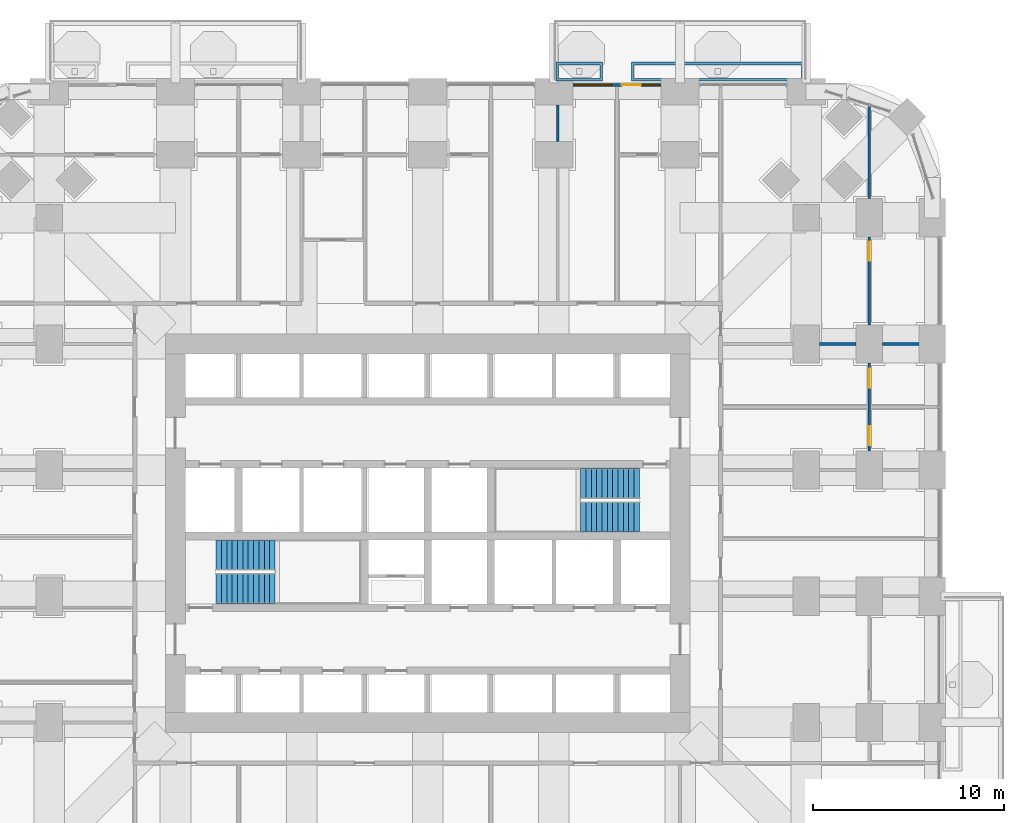
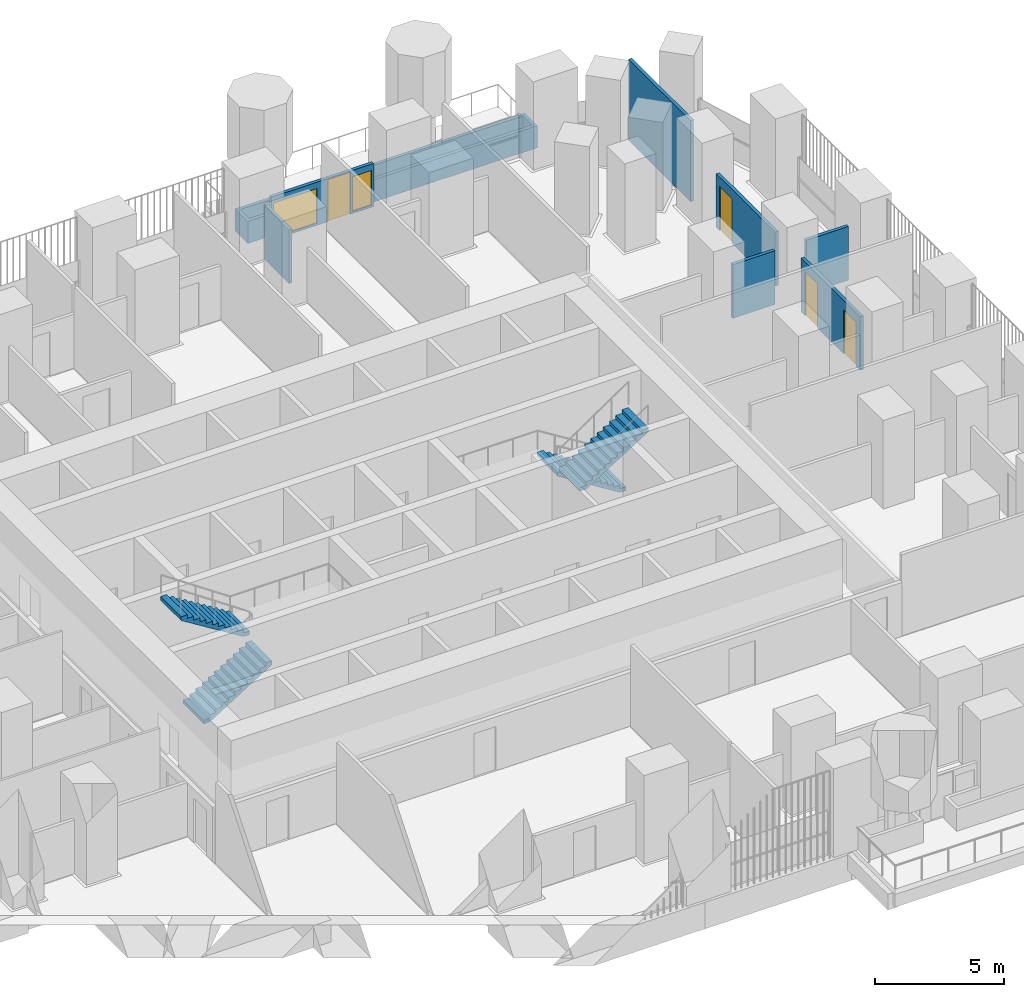
# One storey, part 21 of 27: 9 walls, 4 doors, 4 stair flights, 2 windows, 6 openings, 2 elements without a shape of their own.
"""IFC4 building model written with IfcOpenShell, lengths in metres."""

from ifc_helpers import new_model, si_unit, direction, frame, frame_2d, origin, place, context, subcontext, project, spatial, polyline, rectangle, outline, extrude, material, layer, layer_set, type_object, element, fill, aggregate, save


model = new_model("IFC4")

# Units and contexts
model_context = context("Model", 3, precision=1e-05, world=origin(), true_north=direction((0.0, 1.0)))
body_context = subcontext(model_context, "Body", "Model", "MODEL_VIEW")
ifc_project = project(units=[si_unit("LENGTHUNIT", "METRE"), si_unit("AREAUNIT", "SQUARE_METRE"), si_unit("VOLUMEUNIT", "CUBIC_METRE"), si_unit("PLANEANGLEUNIT", "RADIAN"), si_unit("MASSUNIT", "GRAM", prefix="KILO")], contexts=[model_context])

# Site, building, storey
site_placement = place(None, origin())
site = spatial("IfcSite", under=ifc_project, at=site_placement, CompositionType="ELEMENT")
building_placement = place(site_placement, origin())
building = spatial("IfcBuilding", under=site, at=building_placement, Name="Cobogo Forest Laboratory Tower", CompositionType="ELEMENT")
storey_placement = place(building_placement, frame((0.0, 0.0, 71.699951171875)))
storey = spatial("IfcBuildingStorey", under=building, at=storey_placement, Name="L16", CompositionType="ELEMENT", Elevation=71.699951171875)

# Wall, openings, door, windows
ifc_material_1 = material(Name="Aluminium framed glazed screen", Category="aluminium")
ifc_layer_1 = layer(ifc_material_1, 0.14990234375)
ifc_layer_set_1 = layer_set([ifc_layer_1], Name="GS1 glazed door screen 150")
wall_type_1 = type_object("IfcWallType", Name="GS1 glazed door screen 150", PredefinedType="SOLIDWALL", material=ifc_layer_set_1)
wall_1_placement = place(storey_placement, frame((38.60009765625, 46.550048828125, 0.0), z_axis=(0.0, 0.0, 1.0), x_axis=(-1.0, 0.0, 0.0)))
wall_1 = element("IfcWall", 1, at=wall_1_placement, inside=storey, type_object=wall_type_1, Name="Door screen BAL-N2 L16", PredefinedType="SOLIDWALL", context=body_context, shape_type="SweptSolid", body=[
    extrude(rectangle(XDim=4.60009765625, YDim=0.14990234375, at=frame_2d((2.300048828125, 0.0))), origin(), (0.0, 0.0, 1.0), 2.050048828125),
])
opening_1_placement = place(wall_1_placement, frame((1.050048828125, 0.0, 0.0)))
opening_1 = element("IfcOpeningElement", 2, at=opening_1_placement, cuts=wall_1, Name="Opening L16-D54", PredefinedType="OPENING", context=body_context, shape_type="SweptSolid", body=[
    extrude(rectangle(XDim=1.0, YDim=2.0, at=frame_2d((0.5, 1.0))), frame((0.0, 0.0849609375, 0.0), z_axis=(0.0, -1.0, 0.0), x_axis=(1.0, 0.0, 0.0)), (0.0, 0.0, 1.0), 0.169921875),
])
opening_2_placement = place(wall_1_placement, frame((0.10009765625, 0.0, 0.10009765625)))
opening_2 = element("IfcOpeningElement", 3, at=opening_2_placement, cuts=wall_1, Name="Opening L16-W12", PredefinedType="OPENING", context=body_context, shape_type="SweptSolid", body=[
    extrude(rectangle(XDim=0.85009765625, YDim=1.64990234375, at=frame_2d((0.425048828125, 0.824951171875))), frame((0.0, 0.0849609375, 0.0), z_axis=(0.0, -1.0, 0.0), x_axis=(1.0, 0.0, 0.0)), (0.0, 0.0, 1.0), 0.169921875),
])
opening_3_placement = place(wall_1_placement, frame((2.550048828125, 0.0, 0.10009765625)))
opening_3 = element("IfcOpeningElement", 4, at=opening_3_placement, cuts=wall_1, Name="Opening L16-W11", PredefinedType="OPENING", context=body_context, shape_type="SweptSolid", body=[
    extrude(rectangle(XDim=1.949951171875, YDim=1.64990234375, at=frame_2d((0.97509765625, 0.824951171875))), frame((0.0, 0.0849609375, 0.0), z_axis=(0.0, -1.0, 0.0), x_axis=(1.0, 0.0, 0.0)), (0.0, 0.0, 1.0), 0.169921875),
])
ifc_material_2 = material(Name="Aluminium glazed door", Category="aluminium")
door_type_1 = type_object("IfcDoorType", Name="DB2 balcony door 1000 glazed 2000 high", OperationType="SINGLE_SWING_LEFT", PredefinedType="DOOR", material=ifc_material_2)
door_1_placement = place(opening_1_placement, origin())
door_1 = element("IfcDoor", 5, at=door_1_placement, inside=storey, type_object=door_type_1, Name="Door L16-BAL-N2", OperationType="SINGLE_SWING_LEFT", OverallHeight=2.0, OverallWidth=1.0, PredefinedType="DOOR", context=body_context, shape_type="SweptSolid", body=[
    extrude(rectangle(XDim=1.0, YDim=2.0, at=frame_2d((0.5, 1.0))), frame((0.0, 0.02490234375, 0.0), z_axis=(0.0, -1.0, 0.0), x_axis=(1.0, 0.0, 0.0)), (0.0, 0.0, 1.0), 0.050048828125),
])
fill(opening_1, door_1)
ifc_material_3 = material(Name="Aluminium framed glazing", Category="aluminium")
window_type_1 = type_object("IfcWindowType", Name="WG10 fixed glazed light 850x1650", PartitioningType="SINGLE_PANEL", PredefinedType="WINDOW", material=ifc_material_3)
window_1_placement = place(opening_2_placement, origin())
window_1 = element("IfcWindow", 6, at=window_1_placement, inside=storey, type_object=window_type_1, Name="Window L16-BAL-N2-1", OverallHeight=1.64990234375, OverallWidth=0.85009765625, PartitioningType="SINGLE_PANEL", PredefinedType="WINDOW", context=body_context, shape_type="SweptSolid", body=[
    extrude(rectangle(XDim=0.85009765625, YDim=1.64990234375, at=frame_2d((0.425048828125, 0.824951171875))), frame((0.0, 0.030029296875, 0.0), z_axis=(0.0, -1.0, 0.0), x_axis=(1.0, 0.0, 0.0)), (0.0, 0.0, 1.0), 0.06005859375),
])
fill(opening_2, window_1)
window_type_2 = type_object("IfcWindowType", Name="WG9 fixed glazed light 1950x1650", PartitioningType="SINGLE_PANEL", PredefinedType="WINDOW", material=ifc_material_3)
window_2_placement = place(opening_3_placement, origin())
window_2 = element("IfcWindow", 7, at=window_2_placement, inside=storey, type_object=window_type_2, Name="Window L16-BAL-N2-2", OverallHeight=1.64990234375, OverallWidth=1.949951171875, PartitioningType="SINGLE_PANEL", PredefinedType="WINDOW", context=body_context, shape_type="SweptSolid", body=[
    extrude(rectangle(XDim=1.949951171875, YDim=1.64990234375, at=frame_2d((0.97509765625, 0.824951171875))), frame((0.0, 0.030029296875, 0.0), z_axis=(0.0, -1.0, 0.0), x_axis=(1.0, 0.0, 0.0)), (0.0, 0.0, 1.0), 0.06005859375),
])
fill(opening_3, window_2)

# Wall, openings, doors
ifc_material_4 = material(Name="Gypsum board on steel studs", Category="steel")
ifc_layer_2 = layer(ifc_material_4, 0.14990234375)
ifc_layer_set_2 = layer_set([ifc_layer_2], Name="PT1 laboratory partition 150")
wall_type_2 = type_object("IfcWallType", Name="PT1 laboratory partition 150", PredefinedType="PARTITIONING", material=ifc_layer_set_2)
wall_2_placement = place(storey_placement, frame((49.5, 27.39990234375, 0.0), z_axis=(0.0, 0.0, 1.0), x_axis=(0.0, 1.0, 0.0)))
wall_2 = element("IfcWall", 8, at=wall_2_placement, inside=storey, type_object=wall_type_2, Name="Partition STRIP-E-3 L16", PredefinedType="PARTITIONING", context=body_context, shape_type="SweptSolid", body=[
    extrude(rectangle(XDim=4.60009765625, YDim=0.14990234375, at=frame_2d((2.300048828125, 0.0))), origin(), (0.0, 0.0, 1.0), 2.550048828125),
])
opening_4_placement = place(wall_2_placement, frame((0.300048828125, 0.0, 0.0)))
opening_4 = element("IfcOpeningElement", 9, at=opening_4_placement, cuts=wall_2, Name="Opening L16-D31", PredefinedType="OPENING", context=body_context, shape_type="SweptSolid", body=[
    extrude(rectangle(XDim=1.0, YDim=2.10009765625, at=frame_2d((0.5, 1.050048828125))), frame((0.0, 0.0849609375, 0.0), z_axis=(0.0, -1.0, 0.0), x_axis=(1.0, 0.0, 0.0)), (0.0, 0.0, 1.0), 0.169921875),
])
opening_5_placement = place(wall_2_placement, frame((3.300048828125, 0.0, 0.0)))
opening_5 = element("IfcOpeningElement", 10, at=opening_5_placement, cuts=wall_2, Name="Opening L16-D36", PredefinedType="OPENING", context=body_context, shape_type="SweptSolid", body=[
    extrude(rectangle(XDim=1.0, YDim=2.10009765625, at=frame_2d((0.5, 1.050048828125))), frame((0.0, 0.0849609375, 0.0), z_axis=(0.0, -1.0, 0.0), x_axis=(1.0, 0.0, 0.0)), (0.0, 0.0, 1.0), 0.169921875),
])
ifc_material_5 = material(Name="Timber fire door", Category="wood")
door_type_2 = type_object("IfcDoorType", Name="FD2 fire door 1000 EI2 30", OperationType="SINGLE_SWING_LEFT", PredefinedType="DOOR", material=ifc_material_5)
door_2_placement = place(opening_4_placement, origin())
door_2 = element("IfcDoor", 11, at=door_2_placement, inside=storey, type_object=door_type_2, Name="Door L16-E2W", OperationType="SINGLE_SWING_LEFT", OverallHeight=2.10009765625, OverallWidth=1.0, PredefinedType="DOOR", context=body_context, shape_type="SweptSolid", body=[
    extrude(rectangle(XDim=1.0, YDim=2.10009765625, at=frame_2d((0.5, 1.050048828125))), frame((0.0, 0.02490234375, 0.0), z_axis=(0.0, -1.0, 0.0), x_axis=(1.0, 0.0, 0.0)), (0.0, 0.0, 1.0), 0.050048828125),
])
fill(opening_4, door_2)
door_3_placement = place(opening_5_placement, origin())
door_3 = element("IfcDoor", 12, at=door_3_placement, inside=storey, type_object=door_type_2, Name="Door L16-E3W", OperationType="SINGLE_SWING_RIGHT", OverallHeight=2.10009765625, OverallWidth=1.0, PredefinedType="DOOR", context=body_context, shape_type="SweptSolid", body=[
    extrude(rectangle(XDim=1.0, YDim=2.10009765625, at=frame_2d((0.5, 1.050048828125))), frame((0.0, 0.02490234375, 0.0), z_axis=(0.0, -1.0, 0.0), x_axis=(1.0, 0.0, 0.0)), (0.0, 0.0, 1.0), 0.050048828125),
])
fill(opening_5, door_3)

# Wall, opening, door
wall_3_placement = place(storey_placement, frame((49.5, 34.0, 0.0), z_axis=(0.0, 0.0, 1.0), x_axis=(0.0, 1.0, 0.0)))
wall_3 = element("IfcWall", 13, at=wall_3_placement, inside=storey, type_object=wall_type_2, Name="Partition STRIP-E-4 L16", PredefinedType="PARTITIONING", context=body_context, shape_type="SweptSolid", body=[
    extrude(rectangle(XDim=4.60009765625, YDim=0.14990234375, at=frame_2d((2.300048828125, 0.0))), origin(), (0.0, 0.0, 1.0), 2.550048828125),
])
opening_6_placement = place(wall_3_placement, frame((3.35009765625, 0.0, 0.0)))
opening_6 = element("IfcOpeningElement", 14, at=opening_6_placement, cuts=wall_3, Name="Opening L16-D46", PredefinedType="OPENING", context=body_context, shape_type="SweptSolid", body=[
    extrude(rectangle(XDim=1.0, YDim=2.10009765625, at=frame_2d((0.5, 1.050048828125))), frame((0.0, 0.0849609375, 0.0), z_axis=(0.0, -1.0, 0.0), x_axis=(1.0, 0.0, 0.0)), (0.0, 0.0, 1.0), 0.169921875),
])
door_4_placement = place(opening_6_placement, origin())
door_4 = element("IfcDoor", 15, at=door_4_placement, inside=storey, type_object=door_type_2, Name="Door L16-E4W", OperationType="SINGLE_SWING_RIGHT", OverallHeight=2.10009765625, OverallWidth=1.0, PredefinedType="DOOR", context=body_context, shape_type="SweptSolid", body=[
    extrude(rectangle(XDim=1.0, YDim=2.10009765625, at=frame_2d((0.5, 1.050048828125))), frame((0.0, 0.02490234375, 0.0), z_axis=(0.0, -1.0, 0.0), x_axis=(1.0, 0.0, 0.0)), (0.0, 0.0, 1.0), 0.050048828125),
])
fill(opening_6, door_4)

# Walls
wall_4_placement = place(storey_placement, frame((49.5, 40.60009765625, 0.0), z_axis=(0.0, 0.0, 1.0), x_axis=(0.0, 1.0, 0.0)))
element("IfcWall", 16, at=wall_4_placement, inside=storey, type_object=wall_type_2, Name="Partition STRIP-E-5 L16", PredefinedType="PARTITIONING", context=body_context, shape_type="SweptSolid", body=[
    extrude(rectangle(XDim=4.823974609375, YDim=0.14990234375, at=frame_2d((2.412109375, 0.0))), origin(), (0.0, 0.0, 1.0), 3.85009765625),
])
for number, where, z_axis, x_axis, name in (
    (17, (52.10009765625, 33.0, 0.0), (0.0, 0.0, 1.0), (-1.0, 0.0, 0.0), "Partition CUT-E33a-1 L16"),
    (18, (48.800048828125, 33.0, 0.0), (0.0, 0.0, 1.0), (-1.0, 0.0, 0.0), "Partition CUT-E33b-1 L16"),
):
    element("IfcWall", number, at=place(storey_placement, frame(where, z_axis=z_axis, x_axis=x_axis)), inside=storey, type_object=wall_type_2, Name=name, PredefinedType="PARTITIONING", context=body_context, shape_type="SweptSolid", body=[
        extrude(rectangle(XDim=1.900146484375, YDim=0.14990234375, at=frame_2d((0.9501953125, 0.0))), origin(), (0.0, 0.0, 1.0), 2.550048828125),
    ])
wall_5_placement = place(storey_placement, frame((33.199951171875, 45.5, 0.0), z_axis=(0.0, 0.0, 1.0), x_axis=(0.0, -1.0, 0.0)))
element("IfcWall", 19, at=wall_5_placement, inside=storey, type_object=wall_type_2, Name="Partition SVC-N1-1 L16", PredefinedType="PARTITIONING", context=body_context, shape_type="SweptSolid", body=[
    extrude(rectangle(XDim=1.89990234375, YDim=0.14990234375, at=frame_2d((0.949951171875, 0.0))), origin(), (0.0, 0.0, 1.0), 2.550048828125),
])
ifc_material_6 = material(Name="Concrete HA-40 (C40/50)", Category="concrete")
ifc_layer_3 = layer(ifc_material_6, 0.14990234375)
ifc_layer_set_3 = layer_set([ifc_layer_3], Name="Planter box 1000x1050")
wall_type_3 = type_object("IfcWallType", Name="Planter box 1000x1050", PredefinedType="USERDEFINED", material=ifc_layer_set_3)
wall_6_placement = place(storey_placement, origin())
element("IfcWall", 20, at=wall_6_placement, inside=storey, type_object=wall_type_3, Name="Planter BAL-N2-1 L16", ObjectType="PLANTER", PredefinedType="USERDEFINED", context=body_context, shape_type="SweptSolid", body=[
    extrude(outline(polyline([(33.10009765625, 46.75), (35.550048828125, 46.75), (35.550048828125, 47.75), (33.10009765625, 47.75), (33.10009765625, 46.75)]), holes=[polyline([(33.25, 46.89990234375), (35.39990234375, 46.89990234375), (35.39990234375, 47.60009765625), (33.25, 47.60009765625), (33.25, 46.89990234375)])]), origin(), (0.0, 0.0, 1.0), 1.050048828125),
])
wall_7_placement = place(storey_placement, origin())
element("IfcWall", 21, at=wall_7_placement, inside=storey, type_object=wall_type_3, Name="Planter BAL-N2-2 L16", ObjectType="PLANTER", PredefinedType="USERDEFINED", context=body_context, shape_type="SweptSolid", body=[
    extrude(outline(polyline([(37.050048828125, 46.75), (46.10009765625, 46.75), (46.10009765625, 47.75), (37.050048828125, 47.75), (37.050048828125, 46.75)]), holes=[polyline([(37.199951171875, 46.89990234375), (45.949951171875, 46.89990234375), (45.949951171875, 47.60009765625), (37.199951171875, 47.60009765625), (37.199951171875, 46.89990234375)])]), origin(), (0.0, 0.0, 1.0), 1.050048828125),
])

# Stair, stair flights
ifc_material_7 = material(Name="Precast concrete HA-40 (C40/50)", Category="concrete")
stair_type = type_object("IfcStairType", Name="ST24 exit stair 24 risers", PredefinedType="HALF_TURN_STAIR", material=ifc_material_7)
stair_1_placement = place(storey_placement, origin())
stair_1 = element("IfcStair", 22, at=stair_1_placement, inside=storey, type_object=stair_type, Name="Stair 1 L16 to L17", PredefinedType="HALF_TURN_STAIR")
stair_flight_type = type_object("IfcStairFlightType", Name="ST stair flight 280 going", PredefinedType="STRAIGHT", material=ifc_material_7)
stair_flight_1_placement = place(storey_placement, frame((15.324951171875, 20.199951171875, 0.0), z_axis=(0.0, 0.0, 1.0), x_axis=(1.0, 0.0, 0.0)))
stair_flight_1 = element("IfcStairFlight", 23, at=stair_flight_1_placement, type_object=stair_flight_type, Name="ST1 flight 1", NumberOfRisers=12, NumberOfTreads=11, PredefinedType="STRAIGHT", RiserHeight=0.175, TreadLength=0.28, context=body_context, shape_type="SweptSolid", body=[
    extrude(outline(polyline([(0.0, 0.0), (0.0, 0.175048828125), (0.280029296875, 0.175048828125), (0.280029296875, 0.35009765625), (0.56005859375, 0.35009765625), (0.56005859375, 0.52490234375), (0.840087890625, 0.52490234375), (0.840087890625, 0.699951171875), (1.1201171875, 0.699951171875), (1.1201171875, 0.875), (1.39990234375, 0.875), (1.39990234375, 1.050048828125), (1.679931640625, 1.050048828125), (1.679931640625, 1.22509765625), (1.9599609375, 1.22509765625), (1.9599609375, 1.39990234375), (2.239990234375, 1.39990234375), (2.239990234375, 1.574951171875), (2.52001953125, 1.574951171875), (2.52001953125, 1.75), (2.800048828125, 1.75), (2.800048828125, 1.925048828125), (3.080078125, 1.925048828125), (3.080078125, 2.10009765625), (3.080078125, 1.748291015625), (0.28271484375, 0.0), (0.0, 0.0)])), frame((0.0, 0.800048828125, 0.0), z_axis=(0.0, -1.0, 0.0), x_axis=(1.0, 0.0, 0.0)), (0.0, 0.0, 1.0), 1.60009765625),
])
stair_flight_2_placement = place(storey_placement, frame((18.405029296875, 21.949951171875, 2.10009765625), z_axis=(0.0, 0.0, 1.0), x_axis=(-1.0, 0.0, 0.0)))
stair_flight_2 = element("IfcStairFlight", 24, at=stair_flight_2_placement, type_object=stair_flight_type, Name="ST1 flight 2", NumberOfRisers=12, NumberOfTreads=11, PredefinedType="STRAIGHT", RiserHeight=0.175, TreadLength=0.28, context=body_context, shape_type="SweptSolid", body=[
    extrude(outline(polyline([(0.0, 0.0), (0.0, 0.175048828125), (0.280029296875, 0.175048828125), (0.280029296875, 0.35009765625), (0.56005859375, 0.35009765625), (0.56005859375, 0.52490234375), (0.840087890625, 0.52490234375), (0.840087890625, 0.699951171875), (1.1201171875, 0.699951171875), (1.1201171875, 0.875), (1.39990234375, 0.875), (1.39990234375, 1.050048828125), (1.679931640625, 1.050048828125), (1.679931640625, 1.22509765625), (1.9599609375, 1.22509765625), (1.9599609375, 1.39990234375), (2.239990234375, 1.39990234375), (2.239990234375, 1.574951171875), (2.52001953125, 1.574951171875), (2.52001953125, 1.75), (2.800048828125, 1.75), (2.800048828125, 1.925048828125), (3.080078125, 1.925048828125), (3.080078125, 2.10009765625), (3.080078125, 1.748291015625), (0.28271484375, 0.0), (0.0, 0.0)])), frame((0.0, 0.800048828125, 0.0), z_axis=(0.0, -1.0, 0.0), x_axis=(1.0, 0.0, 0.0)), (0.0, 0.0, 1.0), 1.60009765625),
])
aggregate(stair_1, [stair_flight_1, stair_flight_2])

stair_2_placement = place(storey_placement, origin())
stair_2 = element("IfcStair", 25, at=stair_2_placement, inside=storey, type_object=stair_type, Name="Stair 2 L16 to L17", PredefinedType="HALF_TURN_STAIR")
stair_flight_3_placement = place(storey_placement, frame((37.47509765625, 25.699951171875, 0.0), z_axis=(0.0, 0.0, 1.0), x_axis=(-1.0, 0.0, 0.0)))
stair_flight_3 = element("IfcStairFlight", 26, at=stair_flight_3_placement, type_object=stair_flight_type, Name="ST2 flight 1", NumberOfRisers=12, NumberOfTreads=11, PredefinedType="STRAIGHT", RiserHeight=0.175, TreadLength=0.28, context=body_context, shape_type="SweptSolid", body=[
    extrude(outline(polyline([(0.0, 0.0), (0.0, 0.175048828125), (0.280029296875, 0.175048828125), (0.280029296875, 0.35009765625), (0.56005859375, 0.35009765625), (0.56005859375, 0.52490234375), (0.840087890625, 0.52490234375), (0.840087890625, 0.699951171875), (1.1201171875, 0.699951171875), (1.1201171875, 0.875), (1.39990234375, 0.875), (1.39990234375, 1.050048828125), (1.679931640625, 1.050048828125), (1.679931640625, 1.22509765625), (1.9599609375, 1.22509765625), (1.9599609375, 1.39990234375), (2.239990234375, 1.39990234375), (2.239990234375, 1.574951171875), (2.52001953125, 1.574951171875), (2.52001953125, 1.75), (2.800048828125, 1.75), (2.800048828125, 1.925048828125), (3.080078125, 1.925048828125), (3.080078125, 2.10009765625), (3.080078125, 1.748291015625), (0.28271484375, 0.0), (0.0, 0.0)])), frame((0.0, 0.800048828125, 0.0), z_axis=(0.0, -1.0, 0.0), x_axis=(1.0, 0.0, 0.0)), (0.0, 0.0, 1.0), 1.60009765625),
])
stair_flight_4_placement = place(storey_placement, frame((34.39501953125, 23.949951171875, 2.10009765625), z_axis=(0.0, 0.0, 1.0), x_axis=(1.0, 0.0, 0.0)))
stair_flight_4 = element("IfcStairFlight", 27, at=stair_flight_4_placement, type_object=stair_flight_type, Name="ST2 flight 2", NumberOfRisers=12, NumberOfTreads=11, PredefinedType="STRAIGHT", RiserHeight=0.175, TreadLength=0.28, context=body_context, shape_type="SweptSolid", body=[
    extrude(outline(polyline([(0.0, 0.0), (0.0, 0.175048828125), (0.280029296875, 0.175048828125), (0.280029296875, 0.35009765625), (0.56005859375, 0.35009765625), (0.56005859375, 0.52490234375), (0.840087890625, 0.52490234375), (0.840087890625, 0.699951171875), (1.1201171875, 0.699951171875), (1.1201171875, 0.875), (1.39990234375, 0.875), (1.39990234375, 1.050048828125), (1.679931640625, 1.050048828125), (1.679931640625, 1.22509765625), (1.9599609375, 1.22509765625), (1.9599609375, 1.39990234375), (2.239990234375, 1.39990234375), (2.239990234375, 1.574951171875), (2.52001953125, 1.574951171875), (2.52001953125, 1.75), (2.800048828125, 1.75), (2.800048828125, 1.925048828125), (3.080078125, 1.925048828125), (3.080078125, 2.10009765625), (3.080078125, 1.748291015625), (0.28271484375, 0.0), (0.0, 0.0)])), frame((0.0, 0.800048828125, 0.0), z_axis=(0.0, -1.0, 0.0), x_axis=(1.0, 0.0, 0.0)), (0.0, 0.0, 1.0), 1.60009765625),
])
aggregate(stair_2, [stair_flight_3, stair_flight_4])

save(model, "model.ifc")
